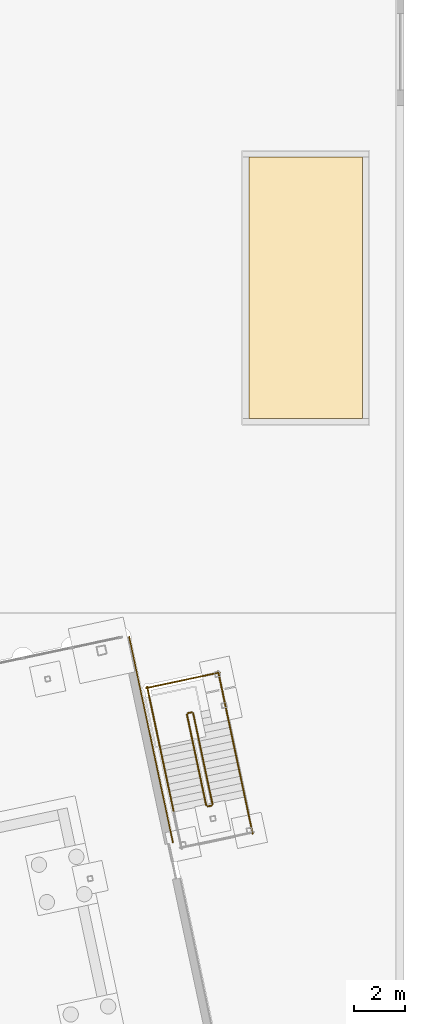
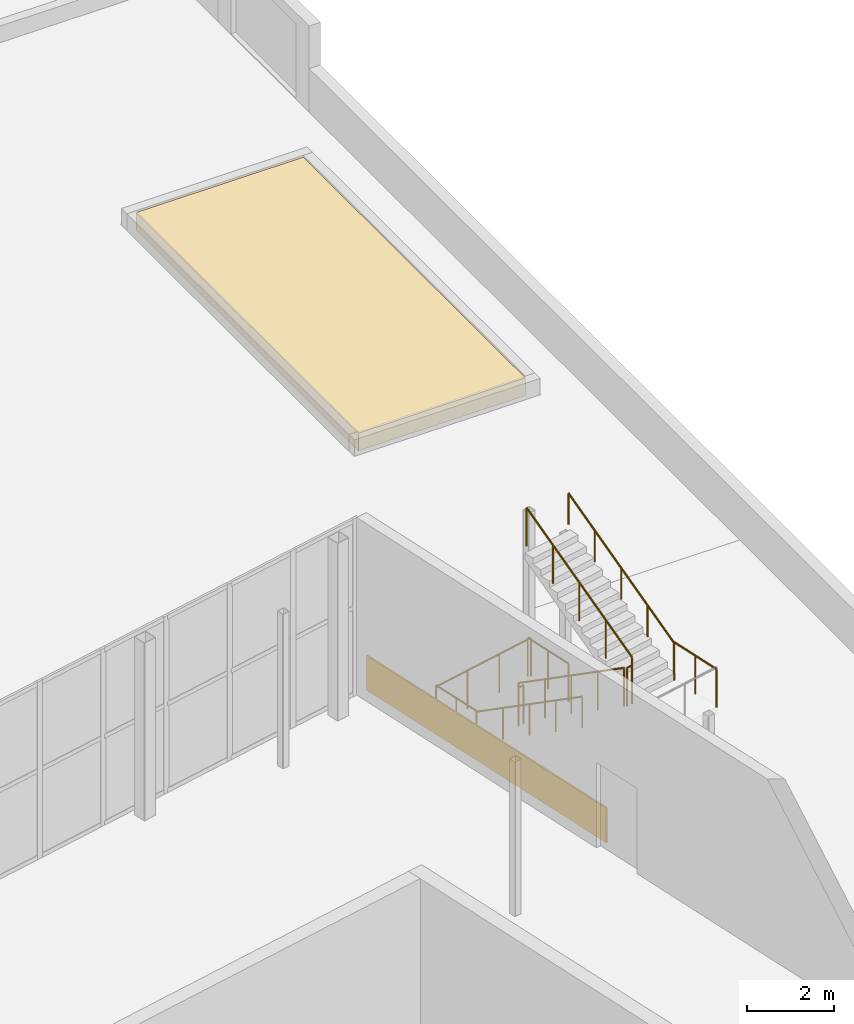
# One storey, part 154 of 157: 10 railings, 2 coverings.
"""IFC4 building model written with IfcOpenShell, lengths in metres."""

from ifc_helpers import new_model, si_unit, direction, frame, origin, origin_2d, place, context, subcontext, project, spatial, polyline, circle, outline, extrude, material, layer, layer_set, type_object, element, save


model = new_model("IFC4")

# Units and contexts
model_context = context("Model", 3, precision=1e-05, world=origin(), true_north=direction((0.0, 1.0)))
body_context = subcontext(model_context, "Body", "Model", "MODEL_VIEW")
ifc_project = project(units=[si_unit("LENGTHUNIT", "METRE"), si_unit("AREAUNIT", "SQUARE_METRE"), si_unit("VOLUMEUNIT", "CUBIC_METRE"), si_unit("PLANEANGLEUNIT", "RADIAN"), si_unit("MASSUNIT", "GRAM", prefix="KILO")], contexts=[model_context])

# Site, building, storey
site_placement = place(None, origin())
site = spatial("IfcSite", under=ifc_project, at=site_placement, CompositionType="ELEMENT")
building_placement = place(site_placement, origin())
building = spatial("IfcBuilding", under=site, at=building_placement, Name="Windward Yard Aquatics Centre", CompositionType="ELEMENT")
storey_placement = place(building_placement, origin())
storey = spatial("IfcBuildingStorey", under=building, at=storey_placement, Name="L00", CompositionType="ELEMENT", Elevation=0.0)

# Railings
ifc_material_1 = material(Name="Stainless steel 1.4529", Category="steel")
railing_type_1 = type_object("IfcRailingType", Name="D Gallery escape stair stair guard", PredefinedType="GUARDRAIL", material=ifc_material_1)
railing_1_placement = place(storey_placement, frame((195.48974609375, 79.519287109375, 0.178466796875)))
element("IfcRailing", 1, at=railing_1_placement, inside=storey, type_object=railing_type_1, Name="L00 D-ST2 stair guard 1", PredefinedType="GUARDRAIL", context=body_context, shape_type="SweptSolid", body=[
    extrude(circle(Radius=0.02392578125, at=origin_2d()), frame((0.0, 0.0, 1.076171875), z_axis=(0.175299627191, -0.824699923532, 0.53771746934), x_axis=(0.978146576304, 0.207916510322, 0.0)), (0.0, 0.0, 1.0), 4.3173828125),
    extrude(circle(Radius=0.02099609375, at=origin_2d()), origin(), (0.0, 0.0, 1.0), 1.052001953125),
    extrude(circle(Radius=0.02099609375, at=origin_2d()), frame((0.189208984375, -0.89013671875, 0.580322265625)), (0.0, 0.0, 1.0), 1.052001953125),
    extrude(circle(Radius=0.02099609375, at=origin_2d()), frame((0.37841796875, -1.7802734375, 1.16064453125)), (0.0, 0.0, 1.0), 1.052001953125),
    extrude(circle(Radius=0.02099609375, at=origin_2d()), frame((0.567626953125, -2.67041015625, 1.7412109375)), (0.0, 0.0, 1.0), 1.052001953125),
    extrude(circle(Radius=0.02099609375, at=origin_2d()), frame((0.7568359375, -3.560546875, 2.321533203125)), (0.0, 0.0, 1.0), 1.052001953125),
])
railing_2_placement = place(storey_placement, frame((196.305908203125, 75.920166015625, 2.5)))
element("IfcRailing", 2, at=railing_2_placement, inside=storey, type_object=railing_type_1, Name="L00 D-ST2 stair guard 2", PredefinedType="GUARDRAIL", context=body_context, shape_type="SweptSolid", body=[
    extrude(circle(Radius=0.02392578125, at=origin_2d()), frame((0.0, 0.0, 1.076171875), z_axis=(0.978063620518, 0.208306395052, 0.0), x_axis=(-0.208306395052, 0.978063620518, 0.0)), (0.0, 0.0, 1.0), 0.14990234375),
    extrude(circle(Radius=0.02099609375, at=origin_2d()), origin(), (0.0, 0.0, 1.0), 1.052001953125),
    extrude(circle(Radius=0.02099609375, at=origin_2d()), frame((0.146728515625, 0.03125, 0.0)), (0.0, 0.0, 1.0), 1.052001953125),
])
railing_3_placement = place(storey_placement, frame((197.7626953125, 76.281005859375, 2.5)))
element("IfcRailing", 3, at=railing_3_placement, inside=storey, type_object=railing_type_1, Name="L00 D-ST2 stair guard 4", PredefinedType="GUARDRAIL", context=body_context, shape_type="SweptSolid", body=[
    extrude(circle(Radius=0.02392578125, at=origin_2d()), frame((0.0, 0.0, 1.076171875), z_axis=(0.207838757885, -0.978163100265, 0.0), x_axis=(0.978163100265, 0.207838757885, 0.0)), (0.0, 0.0, 1.0), 1.460205078125),
    extrude(circle(Radius=0.02099609375, at=origin_2d()), origin(), (0.0, 0.0, 1.0), 1.052001953125),
    extrude(circle(Radius=0.02099609375, at=origin_2d()), frame((0.15185546875, -0.714111328125, 0.0)), (0.0, 0.0, 1.0), 1.052001953125),
    extrude(circle(Radius=0.02099609375, at=origin_2d()), frame((0.303466796875, -1.42822265625, 0.0)), (0.0, 0.0, 1.0), 1.052001953125),
])
railing_4_placement = place(storey_placement, frame((196.4912109375, 76.0107421875, 2.678466796875)))
element("IfcRailing", 4, at=railing_4_placement, inside=storey, type_object=railing_type_1, Name="L00 D-ST2 stair guard 6", PredefinedType="GUARDRAIL", context=body_context, shape_type="SweptSolid", body=[
    extrude(circle(Radius=0.02392578125, at=origin_2d()), frame((0.0, 0.0, 1.076171875), z_axis=(-0.175307802642, 0.82468183417, 0.537742546878), x_axis=(-0.978143676638, -0.20793015138, 0.0)), (0.0, 0.0, 1.0), 4.317138671875),
    extrude(circle(Radius=0.02099609375, at=origin_2d()), origin(), (0.0, 0.0, 1.0), 1.052001953125),
    extrude(circle(Radius=0.02099609375, at=origin_2d()), frame((-0.189208984375, 0.89013671875, 0.580322265625)), (0.0, 0.0, 1.0), 1.052001953125),
    extrude(circle(Radius=0.02099609375, at=origin_2d()), frame((-0.37841796875, 1.7802734375, 1.16064453125)), (0.0, 0.0, 1.0), 1.052001953125),
    extrude(circle(Radius=0.02099609375, at=origin_2d()), frame((-0.567626953125, 2.670166015625, 1.7412109375)), (0.0, 0.0, 1.0), 1.052001953125),
    extrude(circle(Radius=0.02099609375, at=origin_2d()), frame((-0.7568359375, 3.560302734375, 2.321533203125)), (0.0, 0.0, 1.0), 1.052001953125),
])
railing_5_placement = place(storey_placement, frame((195.5283203125, 79.578369140625, 0.0)))
element("IfcRailing", 5, at=railing_5_placement, inside=storey, type_object=railing_type_1, Name="L00 D-ST2 stair guard 7", PredefinedType="GUARDRAIL", context=body_context, shape_type="SweptSolid", body=[
    extrude(circle(Radius=0.02392578125, at=origin_2d()), frame((0.0, 0.0, 1.076171875), z_axis=(0.978063620518, 0.208306395052, 0.0), x_axis=(-0.208306395052, 0.978063620518, 0.0)), (0.0, 0.0, 1.0), 0.14990234375),
    extrude(circle(Radius=0.02099609375, at=origin_2d()), origin(), (0.0, 0.0, 1.0), 1.052001953125),
    extrude(circle(Radius=0.02099609375, at=origin_2d()), frame((0.146728515625, 0.03125, 0.0)), (0.0, 0.0, 1.0), 1.052001953125),
])
railing_6_placement = place(storey_placement, frame((193.927001953125, 80.618408203125, 0.0)))
element("IfcRailing", 6, at=railing_6_placement, inside=storey, type_object=railing_type_1, Name="L00 D-ST2 stair guard 8", PredefinedType="GUARDRAIL", context=body_context, shape_type="SweptSolid", body=[
    extrude(circle(Radius=0.02392578125, at=origin_2d()), frame((0.0, 0.0, 1.076171875), z_axis=(0.208004722152, -0.978127821689, 0.0), x_axis=(0.978127821689, 0.208004722152, 0.0)), (0.0, 0.0, 1.0), 1.400146484375),
    extrude(circle(Radius=0.02099609375, at=origin_2d()), origin(), (0.0, 0.0, 1.0), 1.052001953125),
    extrude(circle(Radius=0.02099609375, at=origin_2d()), frame((0.1455078125, -0.684814453125, 0.0)), (0.0, 0.0, 1.0), 1.052001953125),
    extrude(circle(Radius=0.02099609375, at=origin_2d()), frame((0.291259765625, -1.36962890625, 0.0)), (0.0, 0.0, 1.0), 1.052001953125),
])
railing_7_placement = place(storey_placement, frame((196.71484375, 81.2109375, 0.0)))
element("IfcRailing", 7, at=railing_7_placement, inside=storey, type_object=railing_type_1, Name="L00 D-ST2 stair guard 9", PredefinedType="GUARDRAIL", context=body_context, shape_type="SweptSolid", body=[
    extrude(circle(Radius=0.02392578125, at=origin_2d()), frame((0.0, 0.0, 1.076171875), z_axis=(0.207873355681, -0.978155748334, 0.0), x_axis=(0.978155748334, 0.207873355681, 0.0)), (0.0, 0.0, 1.0), 1.39990234375),
    extrude(circle(Radius=0.02099609375, at=origin_2d()), origin(), (0.0, 0.0, 1.0), 1.052001953125),
    extrude(circle(Radius=0.02099609375, at=origin_2d()), frame((0.1455078125, -0.6845703125, 0.0)), (0.0, 0.0, 1.0), 1.052001953125),
    extrude(circle(Radius=0.02099609375, at=origin_2d()), frame((0.291015625, -1.369384765625, 0.0)), (0.0, 0.0, 1.0), 1.052001953125),
])
railing_8_placement = place(storey_placement, frame((193.888671875, 80.55908203125, 0.0)))
element("IfcRailing", 8, at=railing_8_placement, inside=storey, type_object=railing_type_1, Name="L00 D-ST2 stair guard 10", PredefinedType="GUARDRAIL", context=body_context, shape_type="SweptSolid", body=[
    extrude(circle(Radius=0.02392578125, at=origin_2d()), frame((0.0, 0.0, 1.076171875), z_axis=(0.978151067813, 0.207895378826, 0.0), x_axis=(-0.207895378826, 0.978151067813, 0.0)), (0.0, 0.0, 1.0), 2.949951171875),
    extrude(circle(Radius=0.02099609375, at=origin_2d()), origin(), (0.0, 0.0, 1.0), 1.052001953125),
    extrude(circle(Radius=0.02099609375, at=origin_2d()), frame((0.9619140625, 0.204345703125, 0.0)), (0.0, 0.0, 1.0), 1.052001953125),
    extrude(circle(Radius=0.02099609375, at=origin_2d()), frame((1.923583984375, 0.408935546875, 0.0)), (0.0, 0.0, 1.0), 1.052001953125),
    extrude(circle(Radius=0.02099609375, at=origin_2d()), frame((2.885498046875, 0.61328125, 0.0)), (0.0, 0.0, 1.0), 1.052001953125),
])
railing_type_2 = type_object("IfcRailingType", Name="D Gallery escape stair stair handrail", PredefinedType="HANDRAIL", material=ifc_material_1)
railing_9_placement = place(storey_placement, frame((194.21826171875, 79.248779296875, 0.178466796875)))
element("IfcRailing", 9, at=railing_9_placement, inside=storey, type_object=railing_type_2, Name="L00 D-ST2 stair handrail 1", PredefinedType="HANDRAIL", context=body_context, shape_type="SweptSolid", body=[
    extrude(circle(Radius=0.02392578125, at=origin_2d()), frame((0.0, 0.0, 0.8759765625), z_axis=(0.175307802642, -0.82468183417, 0.537742546878), x_axis=(0.978143676638, 0.20793015138, 0.0)), (0.0, 0.0, 1.0), 4.317138671875),
    extrude(circle(Radius=0.02099609375, at=origin_2d()), origin(), (0.0, 0.0, 1.0), 0.851806640625),
    extrude(circle(Radius=0.02099609375, at=origin_2d()), frame((0.189208984375, -0.89013671875, 0.580322265625)), (0.0, 0.0, 1.0), 0.851806640625),
    extrude(circle(Radius=0.02099609375, at=origin_2d()), frame((0.37841796875, -1.7802734375, 1.16064453125)), (0.0, 0.0, 1.0), 0.851806640625),
    extrude(circle(Radius=0.02099609375, at=origin_2d()), frame((0.567626953125, -2.670166015625, 1.7412109375)), (0.0, 0.0, 1.0), 0.851806640625),
    extrude(circle(Radius=0.02099609375, at=origin_2d()), frame((0.7568359375, -3.560302734375, 2.321533203125)), (0.0, 0.0, 1.0), 0.851806640625),
])
railing_10_placement = place(storey_placement, frame((197.7626953125, 76.281005859375, 2.678466796875)))
element("IfcRailing", 10, at=railing_10_placement, inside=storey, type_object=railing_type_2, Name="L00 D-ST2 stair handrail 2", PredefinedType="HANDRAIL", context=body_context, shape_type="SweptSolid", body=[
    extrude(circle(Radius=0.02392578125, at=origin_2d()), frame((0.0, 0.0, 0.8759765625), z_axis=(-0.175299627191, 0.824699923532, 0.53771746934), x_axis=(-0.978146576304, -0.207916510322, 0.0)), (0.0, 0.0, 1.0), 4.3173828125),
    extrude(circle(Radius=0.02099609375, at=origin_2d()), origin(), (0.0, 0.0, 1.0), 0.851806640625),
    extrude(circle(Radius=0.02099609375, at=origin_2d()), frame((-0.189208984375, 0.89013671875, 0.580322265625)), (0.0, 0.0, 1.0), 0.851806640625),
    extrude(circle(Radius=0.02099609375, at=origin_2d()), frame((-0.37841796875, 1.7802734375, 1.16064453125)), (0.0, 0.0, 1.0), 0.851806640625),
    extrude(circle(Radius=0.02099609375, at=origin_2d()), frame((-0.567626953125, 2.67041015625, 1.7412109375)), (0.0, 0.0, 1.0), 0.851806640625),
    extrude(circle(Radius=0.02099609375, at=origin_2d()), frame((-0.7568359375, 3.560546875, 2.321533203125)), (0.0, 0.0, 1.0), 0.851806640625),
])

# Coverings
ifc_material_2 = material(Name="Limestone cladding on stainless steel brackets", Category="masonry")
ifc_layer_1 = layer(ifc_material_2, 0.0400390625)
ifc_layer_set_1 = layer_set([ifc_layer_1], Name="D stone plinth cladding 40")
covering_type_1 = type_object("IfcCoveringType", Name="D stone plinth cladding 40", PredefinedType="CLADDING", material=ifc_layer_set_1)
covering_1_placement = place(storey_placement, origin())
element("IfcCovering", 11, at=covering_1_placement, inside=storey, type_object=covering_type_1, Name="Plinth cladding panel 3", PredefinedType="CLADDING", context=body_context, shape_type="SweptSolid", body=[
    extrude(outline(polyline([(193.203125, 82.580810546875), (193.2421875, 82.589111328125), (194.9619140625, 74.499755859375), (194.922607421875, 74.491455078125), (193.203125, 82.580810546875)])), origin(), (0.0, 0.0, 1.0), 0.97998046875),
])
ifc_material_3 = material(Name="Planting soil")
ifc_layer_2 = layer(ifc_material_3, 0.448, Name="Planting")
ifc_material_4 = material(Name="Filter fabric")
ifc_layer_3 = layer(ifc_material_4, 0.002, Name="Filter")
ifc_material_5 = material(Name="Drainage board")
ifc_layer_4 = layer(ifc_material_5, 0.05, Name="Drainage")
ifc_layer_set_2 = layer_set([ifc_layer_2, ifc_layer_3, ifc_layer_4], Name="X Planting Bed Soil 400")
covering_type_2 = type_object("IfcCoveringType", Name="X Planting Bed Soil 400", PredefinedType="USERDEFINED", material=ifc_layer_set_2)
covering_2_placement = place(storey_placement, frame((0.0, 0.0, -0.10009765625)))
element("IfcCovering", 12, at=covering_2_placement, inside=storey, type_object=covering_type_2, Name="East forecourt planting south", ObjectType="PLANTING BED", PredefinedType="USERDEFINED", context=body_context, shape_type="SweptSolid", body=[
    extrude(outline(polyline([(197.925048828125, 91.125), (202.375, 91.125), (202.375, 101.375), (197.925048828125, 101.375), (197.925048828125, 91.125)])), origin(), (0.0, 0.0, 1.0), 0.5),
])

save(model, "model.ifc")
